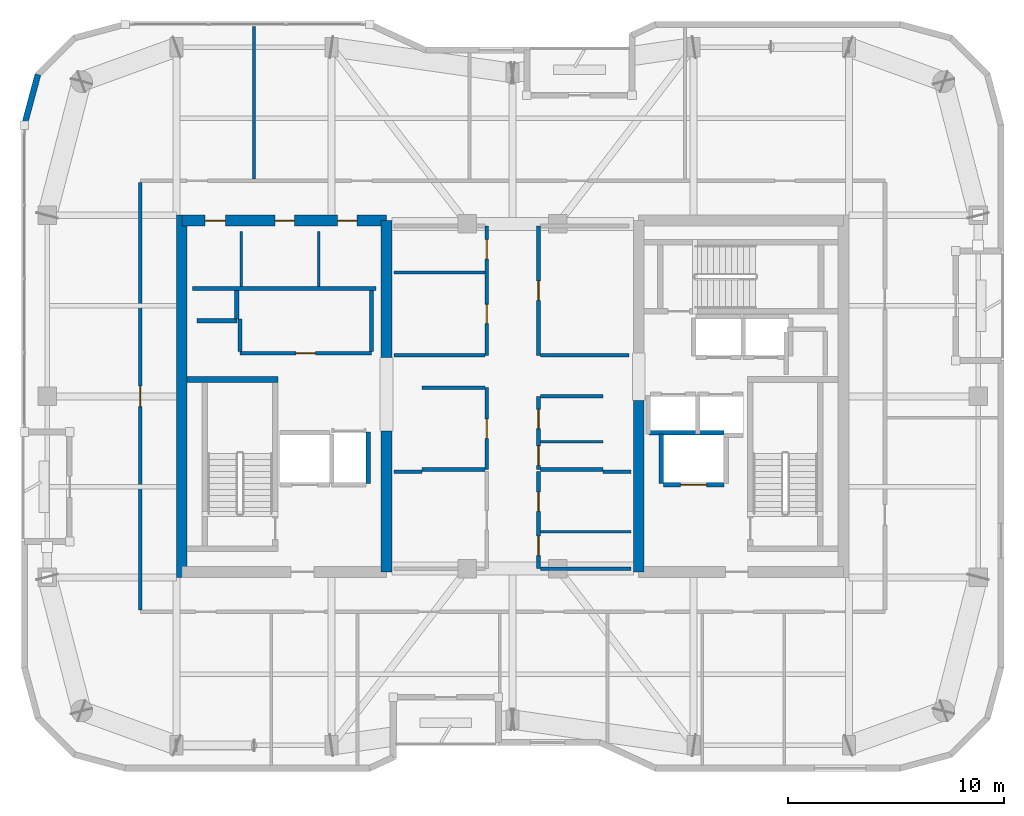
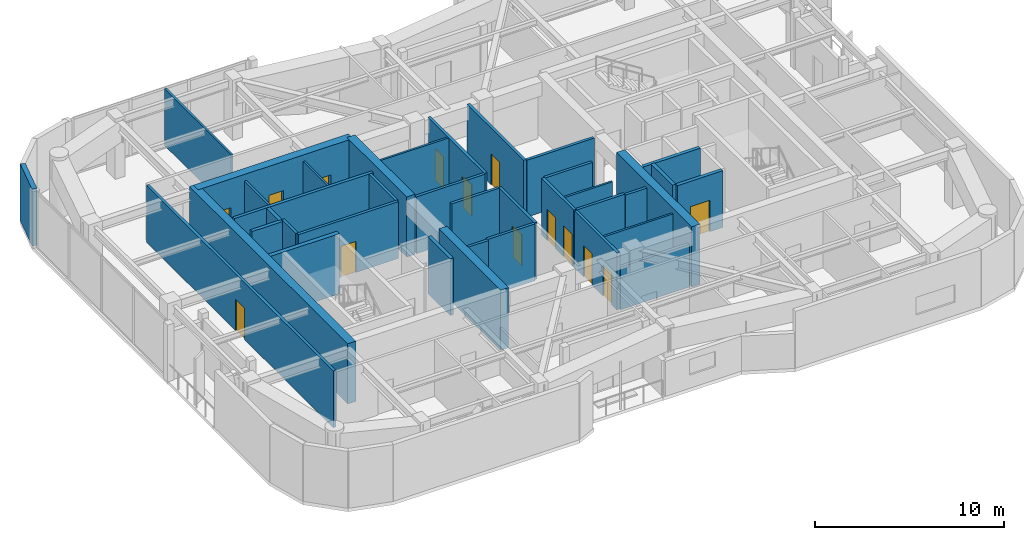
# One storey, part 11 of 15: 38 walls, 14 doors, 14 openings.
"""IFC4 building model written with IfcOpenShell, lengths in metres."""

from ifc_helpers import new_model, si_unit, direction, frame, frame_2d, origin, place, context, subcontext, project, spatial, rectangle, extrude, material, layer, layer_set, type_object, element, fill, save


model = new_model("IFC4")

# Units and contexts
model_context = context("Model", 3, precision=1e-05, world=origin(), true_north=direction((0.0, 1.0)))
body_context = subcontext(model_context, "Body", "Model", "MODEL_VIEW")
ifc_project = project(units=[si_unit("LENGTHUNIT", "METRE"), si_unit("AREAUNIT", "SQUARE_METRE"), si_unit("VOLUMEUNIT", "CUBIC_METRE"), si_unit("PLANEANGLEUNIT", "RADIAN"), si_unit("MASSUNIT", "GRAM", prefix="KILO")], contexts=[model_context])

# Site, building, storey
site_placement = place(None, origin())
site = spatial("IfcSite", under=ifc_project, at=site_placement, CompositionType="ELEMENT")
building_placement = place(site_placement, origin())
building = spatial("IfcBuilding", under=site, at=building_placement, Name="Kiyonajd Concourse Tower", CompositionType="ELEMENT")
storey_placement = place(building_placement, frame((0.0, 0.0, 321.89990234375)))
storey = spatial("IfcBuildingStorey", under=building, at=storey_placement, Name="L81", CompositionType="ELEMENT", Elevation=321.89990234375)

# Walls
ifc_material_1 = material(Name="Concrete C60/75", Category="concrete")
ifc_layer_1 = layer(ifc_material_1, 0.5)
ifc_layer_set_1 = layer_set([ifc_layer_1], Name="Concrete C60/75")
wall_type_1 = type_object("IfcWallType", Name="WL-CORE-500", PredefinedType="SHEAR", material=ifc_layer_set_1)
wall_1_placement = place(storey_placement, frame((32.64990234375, 27.60009765625, 0.0), z_axis=(0.0, 0.0, 1.0), x_axis=(0.0, 1.0, 0.0)))
element("IfcWall", 1, at=wall_1_placement, inside=storey, type_object=wall_type_1, Name="L81 West Core Outer Shear Wall", PredefinedType="SHEAR", context=body_context, shape_type="SweptSolid", body=[
    extrude(rectangle(XDim=16.7998046875, YDim=0.5, at=frame_2d((8.39990234375, 0.0))), origin(), (0.0, 0.0, 1.0), 3.900146484375),
])
wall_2_placement = place(storey_placement, frame((42.14990234375, 27.85009765625, 0.0), z_axis=(0.0, 0.0, 1.0), x_axis=(0.0, 1.0, 0.0)))
element("IfcWall", 2, at=wall_2_placement, inside=storey, type_object=wall_type_1, Name="L81 West Core Inner South Shear Wall", PredefinedType="SHEAR", context=body_context, shape_type="SweptSolid", body=[
    extrude(rectangle(XDim=6.5498046875, YDim=0.5, at=frame_2d((3.27490234375, 0.0))), origin(), (0.0, 0.0, 1.0), 3.900146484375),
])
wall_3_placement = place(storey_placement, frame((42.14990234375, 37.800048828125, 0.0), z_axis=(0.0, 0.0, 1.0), x_axis=(0.0, 1.0, 0.0)))
element("IfcWall", 3, at=wall_3_placement, inside=storey, type_object=wall_type_1, Name="L81 West Core Inner North Shear Wall", PredefinedType="SHEAR", context=body_context, shape_type="SweptSolid", body=[
    extrude(rectangle(XDim=6.349853515625, YDim=0.5, at=frame_2d((3.1748046875, 0.0))), origin(), (0.0, 0.0, 1.0), 3.900146484375),
])

# Wall, openings, doors
wall_4_placement = place(storey_placement, frame((32.64990234375, 44.14990234375, 0.0), z_axis=(0.0, 0.0, 1.0), x_axis=(1.0, 0.0, 0.0)))
wall_4 = element("IfcWall", 4, at=wall_4_placement, inside=storey, type_object=wall_type_1, Name="L81 West Core North Shear Wall", PredefinedType="SHEAR", context=body_context, shape_type="SweptSolid", body=[
    extrude(rectangle(XDim=9.5, YDim=0.5, at=frame_2d((4.75, 0.0))), origin(), (0.0, 0.0, 1.0), 3.900146484375),
])
opening_1_placement = place(wall_4_placement, frame((1.074951171875, 0.0, 0.0)))
opening_1 = element("IfcOpeningElement", 5, at=opening_1_placement, cuts=wall_4, Name="Opening DI1", PredefinedType="OPENING", context=body_context, shape_type="SweptSolid", body=[
    extrude(rectangle(XDim=0.949951171875, YDim=2.0400390625, at=frame_2d((0.47509765625, 1.02001953125))), frame((0.0, 0.260009765625, 0.0), z_axis=(0.0, -1.0, 0.0), x_axis=(1.0, 0.0, 0.0)), (0.0, 0.0, 1.0), 0.52001953125),
])
opening_2_placement = place(wall_4_placement, frame((4.324951171875, 0.0, 0.0)))
opening_2 = element("IfcOpeningElement", 6, at=opening_2_placement, cuts=wall_4, Name="Opening DI2", PredefinedType="OPENING", context=body_context, shape_type="SweptSolid", body=[
    extrude(rectangle(XDim=0.89990234375, YDim=2.02001953125, at=frame_2d((0.449951171875, 1.010009765625))), frame((0.0, 0.260009765625, 0.0), z_axis=(0.0, -1.0, 0.0), x_axis=(1.0, 0.0, 0.0)), (0.0, 0.0, 1.0), 0.52001953125),
])
opening_3_placement = place(wall_4_placement, frame((7.22509765625, 0.0, 0.0)))
opening_3 = element("IfcOpeningElement", 7, at=opening_3_placement, cuts=wall_4, Name="Opening DI2", PredefinedType="OPENING", context=body_context, shape_type="SweptSolid", body=[
    extrude(rectangle(XDim=0.89990234375, YDim=2.02001953125, at=frame_2d((0.449951171875, 1.010009765625))), frame((0.0, 0.260009765625, 0.0), z_axis=(0.0, -1.0, 0.0), x_axis=(1.0, 0.0, 0.0)), (0.0, 0.0, 1.0), 0.52001953125),
])
ifc_material_2 = material(Name="Natural Oak Acoustic Timber Veneer", Category="wood")
door_type_1 = type_object("IfcDoorType", Name="DR-INT-900", OperationType="NOTDEFINED", PredefinedType="DOOR", material=ifc_material_2)
door_1_placement = place(opening_2_placement, origin())
door_1 = element("IfcDoor", 8, at=door_1_placement, inside=storey, type_object=door_type_1, Name="L81 Male Restroom Door", OperationType="SINGLE_SWING_RIGHT", OverallHeight=2.02001953125, OverallWidth=0.89990234375, PredefinedType="DOOR", context=body_context, shape_type="SweptSolid", body=[
    extrude(rectangle(XDim=0.89990234375, YDim=2.02001953125, at=frame_2d((0.449951171875, 1.010009765625))), frame((0.0, 0.02490234375, 0.0), z_axis=(0.0, -1.0, 0.0), x_axis=(1.0, 0.0, 0.0)), (0.0, 0.0, 1.0), 0.050048828125),
])
fill(opening_2, door_1)
door_2_placement = place(opening_3_placement, origin())
door_2 = element("IfcDoor", 9, at=door_2_placement, inside=storey, type_object=door_type_1, Name="L81 Female Restroom Door", OperationType="SINGLE_SWING_LEFT", OverallHeight=2.02001953125, OverallWidth=0.89990234375, PredefinedType="DOOR", context=body_context, shape_type="SweptSolid", body=[
    extrude(rectangle(XDim=0.89990234375, YDim=2.02001953125, at=frame_2d((0.449951171875, 1.010009765625))), frame((0.0, 0.02490234375, 0.0), z_axis=(0.0, -1.0, 0.0), x_axis=(1.0, 0.0, 0.0)), (0.0, 0.0, 1.0), 0.050048828125),
])
fill(opening_3, door_2)
door_type_2 = type_object("IfcDoorType", Name="DR-INT-950", OperationType="NOTDEFINED", PredefinedType="DOOR", material=ifc_material_2)
door_3_placement = place(opening_1_placement, origin())
door_3 = element("IfcDoor", 10, at=door_3_placement, inside=storey, type_object=door_type_2, Name="L81 Single User Accessible WC Door", OperationType="SINGLE_SWING_LEFT", OverallHeight=2.0400390625, OverallWidth=0.949951171875, PredefinedType="DOOR", context=body_context, shape_type="SweptSolid", body=[
    extrude(rectangle(XDim=0.949951171875, YDim=2.0400390625, at=frame_2d((0.47509765625, 1.02001953125))), frame((0.0, 0.02490234375, 0.0), z_axis=(0.0, -1.0, 0.0), x_axis=(1.0, 0.0, 0.0)), (0.0, 0.0, 1.0), 0.050048828125),
])
fill(opening_1, door_3)

# Walls
wall_5_placement = place(storey_placement, frame((53.85009765625, 27.85009765625, 0.0), z_axis=(0.0, 0.0, 1.0), x_axis=(0.0, 1.0, 0.0)))
element("IfcWall", 11, at=wall_5_placement, inside=storey, type_object=wall_type_1, Name="L81 East Core Inner South Shear Wall", PredefinedType="SHEAR", context=body_context, shape_type="SweptSolid", body=[
    extrude(rectangle(XDim=7.949951171875, YDim=0.5, at=frame_2d((3.97509765625, 0.0))), origin(), (0.0, 0.0, 1.0), 3.900146484375),
])
ifc_material_3 = material(Name="Precast concrete C50/60", Category="concrete")
ifc_layer_2 = layer(ifc_material_3, 0.280029296875)
ifc_layer_set_2 = layer_set([ifc_layer_2], Name="Precast concrete C50/60")
wall_type_2 = type_object("IfcWallType", Name="WL-EXT-280", PredefinedType="SOLIDWALL", material=ifc_layer_set_2)
wall_6_placement = place(storey_placement, frame((25.340087890625, 48.58154296875, 0.0), z_axis=(0.0, 0.0, 1.0), x_axis=(0.258751159445, 0.965944013639, 0.0)))
element("IfcWall", 12, at=wall_6_placement, inside=storey, type_object=wall_type_2, Name="L81 Exterior Concrete Frame Wall 06", PredefinedType="SOLIDWALL", context=body_context, shape_type="SweptSolid", body=[
    extrude(rectangle(XDim=2.4287109375, YDim=0.280029296875, at=frame_2d((1.21435546875, 0.0))), origin(), (0.0, 0.0, 1.0), 3.68017578125),
])
ifc_material_4 = material(Name="Gypsum Board on Cold-Formed Steel Stud", Category="steel")
ifc_layer_3 = layer(ifc_material_4, 0.125)
ifc_layer_set_3 = layer_set([ifc_layer_3], Name="Gypsum Board on Cold-Formed Steel Stud")
wall_type_3 = type_object("IfcWallType", Name="WL-PART-125", PredefinedType="PARTITIONING", material=ifc_layer_set_3)
for number, where, z_axis, x_axis, name in (
    (13, (35.39990234375, 41.094970703125, 0.0), (0.0, 0.0, 1.0), (0.0, 1.0, 0.0), "L81 Interior Partition Wall"),
    (14, (39.0, 41.094970703125, 0.0), (0.0, 0.0, 1.0), (0.0, 1.0, 0.0), "L81 Interior Partition Wall"),
):
    element("IfcWall", number, at=place(storey_placement, frame(where, z_axis=z_axis, x_axis=x_axis)), inside=storey, type_object=wall_type_3, Name=name, PredefinedType="PARTITIONING", context=body_context, shape_type="SweptSolid", body=[
        extrude(rectangle(XDim=2.554931640625, YDim=0.125, at=frame_2d((1.27734375, 0.0))), origin(), (0.0, 0.0, 1.0), 3.68017578125),
    ])
wall_7_placement = place(storey_placement, frame((49.287109375, 33.89208984375, 0.0), z_axis=(0.0, 0.0, 1.0), x_axis=(1.0, 0.0, 0.0)))
element("IfcWall", 15, at=wall_7_placement, inside=storey, type_object=wall_type_3, Name="L81 Interior Partition Wall", PredefinedType="PARTITIONING", context=body_context, shape_type="SweptSolid", body=[
    extrude(rectangle(XDim=2.912841796875, YDim=0.125, at=frame_2d((1.45654296875, 0.0))), origin(), (0.0, 0.0, 1.0), 3.68017578125),
])
for number, where, z_axis, x_axis, name in (
    (16, (49.287109375, 29.7099609375, 0.0), (0.0, 0.0, 1.0), (1.0, 0.0, 0.0), "L81 Interior Partition Wall"),
    (17, (42.5, 41.739990234375, 0.0), (0.0, 0.0, 1.0), (1.0, 0.0, 0.0), "L81 Interior Partition Wall"),
):
    element("IfcWall", number, at=place(storey_placement, frame(where, z_axis=z_axis, x_axis=x_axis)), inside=storey, type_object=wall_type_3, Name=name, PredefinedType="PARTITIONING", context=body_context, shape_type="SweptSolid", body=[
        extrude(rectangle(XDim=4.212890625, YDim=0.125, at=frame_2d((2.1064453125, 0.0))), origin(), (0.0, 0.0, 1.0), 3.68017578125),
    ])
wall_8_placement = place(storey_placement, frame((36.0, 46.0869140625, 0.0), z_axis=(0.0, 0.0, 1.0), x_axis=(0.0, 1.0, 0.0)))
element("IfcWall", 18, at=wall_8_placement, inside=storey, type_object=wall_type_3, Name="L81 Interior Partition Wall", PredefinedType="PARTITIONING", context=body_context, shape_type="SweptSolid", body=[
    extrude(rectangle(XDim=7.078125, YDim=0.125, at=frame_2d((3.5390625, 0.0))), origin(), (0.0, 0.0, 1.0), 3.68017578125),
])
ifc_layer_4 = layer(ifc_material_4, 0.18994140625)
ifc_layer_set_4 = layer_set([ifc_layer_4], Name="Gypsum Board on Cold-Formed Steel Stud")
wall_type_4 = type_object("IfcWallType", Name="WL-PLMB-190", PredefinedType="PLUMBINGWALL", material=ifc_layer_set_4)
wall_9_placement = place(storey_placement, frame((33.14990234375, 41.0, 0.0), z_axis=(0.0, 0.0, 1.0), x_axis=(1.0, 0.0, 0.0)))
element("IfcWall", 19, at=wall_9_placement, inside=storey, type_object=wall_type_4, Name="L81 Interior Partition Wall", PredefinedType="PLUMBINGWALL", context=body_context, shape_type="SweptSolid", body=[
    extrude(rectangle(XDim=8.5, YDim=0.18994140625, at=frame_2d((4.25, 0.0))), origin(), (0.0, 0.0, 1.0), 3.68017578125),
])
ifc_layer_5 = layer(ifc_material_4, 0.2099609375)
ifc_layer_set_5 = layer_set([ifc_layer_5], Name="Gypsum Board on Cold-Formed Steel Stud")
wall_type_5 = type_object("IfcWallType", Name="WL-SHAFT-210", PredefinedType="PARTITIONING", material=ifc_layer_set_5)
wall_10_placement = place(storey_placement, frame((33.360107421875, 39.5, 0.0), z_axis=(0.0, 0.0, 1.0), x_axis=(1.0, 0.0, 0.0)))
element("IfcWall", 20, at=wall_10_placement, inside=storey, type_object=wall_type_5, Name="L81 Shaft Enclosure Wall", PredefinedType="PARTITIONING", context=body_context, shape_type="SweptSolid", body=[
    extrude(rectangle(XDim=1.85986328125, YDim=0.2099609375, at=frame_2d((0.929931640625, 0.0))), origin(), (0.0, 0.0, 1.0), 3.68017578125),
])
wall_11_placement = place(storey_placement, frame((35.199951171875, 39.580078125, 0.0), z_axis=(0.0, 0.0, 1.0), x_axis=(0.0, 1.0, 0.0)))
element("IfcWall", 21, at=wall_11_placement, inside=storey, type_object=wall_type_5, Name="L81 Shaft Enclosure Wall", PredefinedType="PARTITIONING", context=body_context, shape_type="SweptSolid", body=[
    extrude(rectangle(XDim=1.31982421875, YDim=0.2099609375, at=frame_2d((0.659912109375, 0.0))), origin(), (0.0, 0.0, 1.0), 3.68017578125),
])

# Wall, opening, door
wall_12_placement = place(storey_placement, frame((55.0, 31.89990234375, 0.0), z_axis=(0.0, 0.0, 1.0), x_axis=(1.0, 0.0, 0.0)))
wall_12 = element("IfcWall", 22, at=wall_12_placement, inside=storey, type_object=wall_type_5, Name="L81 Shaft Enclosure Wall", PredefinedType="PARTITIONING", context=body_context, shape_type="SweptSolid", body=[
    extrude(rectangle(XDim=2.800048828125, YDim=0.2099609375, at=frame_2d((1.39990234375, 0.0))), origin(), (0.0, 0.0, 1.0), 3.68017578125),
])
opening_4_placement = place(wall_12_placement, frame((0.800048828125, 0.0, 0.0)))
opening_4 = element("IfcOpeningElement", 23, at=opening_4_placement, cuts=wall_12, Name="Opening LD2", PredefinedType="OPENING", context=body_context, shape_type="SweptSolid", body=[
    extrude(rectangle(XDim=1.199951171875, YDim=2.0400390625, at=frame_2d((0.60009765625, 1.02001953125))), frame((0.0, 0.114990234375, 0.0), z_axis=(0.0, -1.0, 0.0), x_axis=(1.0, 0.0, 0.0)), (0.0, 0.0, 1.0), 0.22998046875),
])
ifc_material_5 = material(Name="Brushed Stainless Steel Cab Assembly", Category="steel")
door_type_3 = type_object("IfcDoorType", Name="DR-LD-1200", OperationType="DOUBLE_DOOR_SLIDING", PredefinedType="DOOR", material=ifc_material_5)
door_4_placement = place(opening_4_placement, origin())
door_4 = element("IfcDoor", 24, at=door_4_placement, inside=storey, type_object=door_type_3, Name="L81 Lift FFL2 Sliding Landing Door", OperationType="DOUBLE_DOOR_SLIDING", OverallHeight=2.0400390625, OverallWidth=1.199951171875, PredefinedType="DOOR", context=body_context, shape_type="SweptSolid", body=[
    extrude(rectangle(XDim=1.199951171875, YDim=2.0400390625, at=frame_2d((0.60009765625, 1.02001953125))), frame((0.0, 0.02490234375, 0.0), z_axis=(0.0, -1.0, 0.0), x_axis=(1.0, 0.0, 0.0)), (0.0, 0.0, 1.0), 0.050048828125),
])
fill(opening_4, door_4)

# Walls
wall_13_placement = place(storey_placement, frame((54.320068359375, 34.300048828125, 0.0), z_axis=(0.0, 0.0, 1.0), x_axis=(1.0, 0.0, 0.0)))
element("IfcWall", 25, at=wall_13_placement, inside=storey, type_object=wall_type_5, Name="L81 Shaft Enclosure Wall", PredefinedType="PARTITIONING", context=body_context, shape_type="SweptSolid", body=[
    extrude(rectangle(XDim=3.47998046875, YDim=0.2099609375, at=frame_2d((1.739990234375, 0.0))), origin(), (0.0, 0.0, 1.0), 3.68017578125),
])
wall_14_placement = place(storey_placement, frame((54.89990234375, 31.9599609375, 0.0), z_axis=(0.0, 0.0, 1.0), x_axis=(0.0, 1.0, 0.0)))
element("IfcWall", 26, at=wall_14_placement, inside=storey, type_object=wall_type_5, Name="L81 Shaft Enclosure Wall", PredefinedType="PARTITIONING", context=body_context, shape_type="SweptSolid", body=[
    extrude(rectangle(XDim=2.280029296875, YDim=0.2099609375, at=frame_2d((1.14013671875, 0.0))), origin(), (0.0, 0.0, 1.0), 3.68017578125),
])
wall_15_placement = place(storey_placement, frame((41.300048828125, 31.9599609375, 0.0), z_axis=(0.0, 0.0, 1.0), x_axis=(0.0, 1.0, 0.0)))
element("IfcWall", 27, at=wall_15_placement, inside=storey, type_object=wall_type_5, Name="L81 Shaft Enclosure Wall", PredefinedType="PARTITIONING", context=body_context, shape_type="SweptSolid", body=[
    extrude(rectangle(XDim=2.380126953125, YDim=0.2099609375, at=frame_2d((1.18994140625, 0.0))), origin(), (0.0, 0.0, 1.0), 3.68017578125),
])

# Wall, opening, door
ifc_layer_6 = layer(ifc_material_4, 0.169921875)
ifc_layer_set_6 = layer_set([ifc_layer_6], Name="Gypsum Board on Cold-Formed Steel Stud")
wall_type_6 = type_object("IfcWallType", Name="WL-SMK-170", PredefinedType="PARTITIONING", material=ifc_layer_set_6)
wall_16_placement = place(storey_placement, frame((35.35009765625, 38.0, 0.0), z_axis=(0.0, 0.0, 1.0), x_axis=(1.0, 0.0, 0.0)))
wall_16 = element("IfcWall", 28, at=wall_16_placement, inside=storey, type_object=wall_type_6, Name="L81 Interior Partition Wall", PredefinedType="PARTITIONING", context=body_context, shape_type="SweptSolid", body=[
    extrude(rectangle(XDim=6.099853515625, YDim=0.169921875, at=frame_2d((3.0498046875, 0.0))), origin(), (0.0, 0.0, 1.0), 3.68017578125),
])
opening_5_placement = place(wall_16_placement, frame((2.60009765625, 0.0, 0.0)))
opening_5 = element("IfcOpeningElement", 29, at=opening_5_placement, cuts=wall_16, Name="Opening DI2", PredefinedType="OPENING", context=body_context, shape_type="SweptSolid", body=[
    extrude(rectangle(XDim=0.89990234375, YDim=2.02001953125, at=frame_2d((0.449951171875, 1.010009765625))), frame((0.0, 0.094970703125, 0.0), z_axis=(0.0, -1.0, 0.0), x_axis=(1.0, 0.0, 0.0)), (0.0, 0.0, 1.0), 0.18994140625),
])
door_5_placement = place(opening_5_placement, origin())
door_5 = element("IfcDoor", 30, at=door_5_placement, inside=storey, type_object=door_type_1, Name="L81 Interior Door", OperationType="SINGLE_SWING_LEFT", OverallHeight=2.02001953125, OverallWidth=0.89990234375, PredefinedType="DOOR", context=body_context, shape_type="SweptSolid", body=[
    extrude(rectangle(XDim=0.89990234375, YDim=2.02001953125, at=frame_2d((0.449951171875, 1.010009765625))), frame((0.0, 0.02490234375, 0.0), z_axis=(0.0, -1.0, 0.0), x_axis=(1.0, 0.0, 0.0)), (0.0, 0.0, 1.0), 0.050048828125),
])
fill(opening_5, door_5)

# Walls
wall_17_placement = place(storey_placement, frame((35.35009765625, 38.0869140625, 0.0), z_axis=(0.0, 0.0, 1.0), x_axis=(0.0, 1.0, 0.0)))
element("IfcWall", 31, at=wall_17_placement, inside=storey, type_object=wall_type_6, Name="L81 Interior Partition Wall", PredefinedType="PARTITIONING", context=body_context, shape_type="SweptSolid", body=[
    extrude(rectangle(XDim=1.4931640625, YDim=0.169921875, at=frame_2d((0.74658203125, 0.0))), origin(), (0.0, 0.0, 1.0), 3.68017578125),
])
wall_18_placement = place(storey_placement, frame((41.449951171875, 38.0869140625, 0.0), z_axis=(0.0, 0.0, 1.0), x_axis=(0.0, 1.0, 0.0)))
element("IfcWall", 32, at=wall_18_placement, inside=storey, type_object=wall_type_6, Name="L81 Interior Partition Wall", PredefinedType="PARTITIONING", context=body_context, shape_type="SweptSolid", body=[
    extrude(rectangle(XDim=2.81298828125, YDim=0.169921875, at=frame_2d((1.406494140625, 0.0))), origin(), (0.0, 0.0, 1.0), 3.68017578125),
])

# Wall, opening, door
wall_19_placement = place(storey_placement, frame((46.800048828125, 32.60009765625, 0.0), z_axis=(0.0, 0.0, 1.0), x_axis=(0.0, 1.0, 0.0)))
wall_19 = element("IfcWall", 33, at=wall_19_placement, inside=storey, type_object=wall_type_6, Name="L81 Interior Partition Wall", PredefinedType="PARTITIONING", context=body_context, shape_type="SweptSolid", body=[
    extrude(rectangle(XDim=3.7998046875, YDim=0.169921875, at=frame_2d((1.89990234375, 0.0))), origin(), (0.0, 0.0, 1.0), 3.68017578125),
])
opening_6_placement = place(wall_19_placement, frame((1.449951171875, 0.0, 0.0)))
opening_6 = element("IfcOpeningElement", 34, at=opening_6_placement, cuts=wall_19, Name="Opening DI2", PredefinedType="OPENING", context=body_context, shape_type="SweptSolid", body=[
    extrude(rectangle(XDim=0.89990234375, YDim=2.02001953125, at=frame_2d((0.449951171875, 1.010009765625))), frame((0.0, 0.094970703125, 0.0), z_axis=(0.0, -1.0, 0.0), x_axis=(1.0, 0.0, 0.0)), (0.0, 0.0, 1.0), 0.18994140625),
])
door_6_placement = place(opening_6_placement, origin())
door_6 = element("IfcDoor", 35, at=door_6_placement, inside=storey, type_object=door_type_1, Name="L81 Interior Door", OperationType="SINGLE_SWING_RIGHT", OverallHeight=2.02001953125, OverallWidth=0.89990234375, PredefinedType="DOOR", context=body_context, shape_type="SweptSolid", body=[
    extrude(rectangle(XDim=0.89990234375, YDim=2.02001953125, at=frame_2d((0.449951171875, 1.010009765625))), frame((0.0, 0.02490234375, 0.0), z_axis=(0.0, -1.0, 0.0), x_axis=(1.0, 0.0, 0.0)), (0.0, 0.0, 1.0), 0.050048828125),
])
fill(opening_6, door_6)

# Walls
for number, where, z_axis, x_axis, name in (
    (36, (43.800048828125, 32.60009765625, 0.0), (0.0, 0.0, 1.0), (1.0, 0.0, 0.0), "L81 Interior Partition Wall"),
    (37, (43.800048828125, 36.39990234375, 0.0), (0.0, 0.0, 1.0), (1.0, 0.0, 0.0), "L81 Interior Partition Wall"),
):
    element("IfcWall", number, at=place(storey_placement, frame(where, z_axis=z_axis, x_axis=x_axis)), inside=storey, type_object=wall_type_6, Name=name, PredefinedType="PARTITIONING", context=body_context, shape_type="SweptSolid", body=[
        extrude(rectangle(XDim=2.912841796875, YDim=0.169921875, at=frame_2d((1.45654296875, 0.0))), origin(), (0.0, 0.0, 1.0), 3.68017578125),
    ])

# Wall, openings, doors
wall_20_placement = place(storey_placement, frame((49.199951171875, 32.60009765625, 0.0), z_axis=(0.0, 0.0, 1.0), x_axis=(0.0, 1.0, 0.0)))
wall_20 = element("IfcWall", 38, at=wall_20_placement, inside=storey, type_object=wall_type_6, Name="L81 Interior Partition Wall", PredefinedType="PARTITIONING", context=body_context, shape_type="SweptSolid", body=[
    extrude(rectangle(XDim=3.39990234375, YDim=0.169921875, at=frame_2d((1.699951171875, 0.0))), origin(), (0.0, 0.0, 1.0), 3.68017578125),
])
opening_7_placement = place(wall_20_placement, frame((0.196044921875, 0.0, 0.0)))
opening_7 = element("IfcOpeningElement", 39, at=opening_7_placement, cuts=wall_20, Name="Opening DI2", PredefinedType="OPENING", context=body_context, shape_type="SweptSolid", body=[
    extrude(rectangle(XDim=0.89990234375, YDim=2.02001953125, at=frame_2d((0.449951171875, 1.010009765625))), frame((0.0, 0.094970703125, 0.0), z_axis=(0.0, -1.0, 0.0), x_axis=(1.0, 0.0, 0.0)), (0.0, 0.0, 1.0), 0.18994140625),
])
opening_8_placement = place(wall_20_placement, frame((1.89599609375, 0.0, 0.0)))
opening_8 = element("IfcOpeningElement", 40, at=opening_8_placement, cuts=wall_20, Name="Opening DI2", PredefinedType="OPENING", context=body_context, shape_type="SweptSolid", body=[
    extrude(rectangle(XDim=0.89990234375, YDim=2.02001953125, at=frame_2d((0.449951171875, 1.010009765625))), frame((0.0, 0.094970703125, 0.0), z_axis=(0.0, -1.0, 0.0), x_axis=(1.0, 0.0, 0.0)), (0.0, 0.0, 1.0), 0.18994140625),
])
door_7_placement = place(opening_7_placement, origin())
door_7 = element("IfcDoor", 41, at=door_7_placement, inside=storey, type_object=door_type_1, Name="L81 Interior Door", OperationType="SINGLE_SWING_LEFT", OverallHeight=2.02001953125, OverallWidth=0.89990234375, PredefinedType="DOOR", context=body_context, shape_type="SweptSolid", body=[
    extrude(rectangle(XDim=0.89990234375, YDim=2.02001953125, at=frame_2d((0.449951171875, 1.010009765625))), frame((0.0, 0.02490234375, 0.0), z_axis=(0.0, -1.0, 0.0), x_axis=(1.0, 0.0, 0.0)), (0.0, 0.0, 1.0), 0.050048828125),
])
fill(opening_7, door_7)
door_8_placement = place(opening_8_placement, origin())
door_8 = element("IfcDoor", 42, at=door_8_placement, inside=storey, type_object=door_type_1, Name="L81 Interior Door", OperationType="SINGLE_SWING_RIGHT", OverallHeight=2.02001953125, OverallWidth=0.89990234375, PredefinedType="DOOR", context=body_context, shape_type="SweptSolid", body=[
    extrude(rectangle(XDim=0.89990234375, YDim=2.02001953125, at=frame_2d((0.449951171875, 1.010009765625))), frame((0.0, 0.02490234375, 0.0), z_axis=(0.0, -1.0, 0.0), x_axis=(1.0, 0.0, 0.0)), (0.0, 0.0, 1.0), 0.050048828125),
])
fill(opening_8, door_8)

# Walls
for number, where, z_axis, x_axis, name in (
    (43, (49.287109375, 32.60009765625, 0.0), (0.0, 0.0, 1.0), (1.0, 0.0, 0.0), "L81 Interior Partition Wall"),
    (44, (49.287109375, 36.0, 0.0), (0.0, 0.0, 1.0), (1.0, 0.0, 0.0), "L81 Interior Partition Wall"),
):
    element("IfcWall", number, at=place(storey_placement, frame(where, z_axis=z_axis, x_axis=x_axis)), inside=storey, type_object=wall_type_6, Name=name, PredefinedType="PARTITIONING", context=body_context, shape_type="SweptSolid", body=[
        extrude(rectangle(XDim=2.912841796875, YDim=0.169921875, at=frame_2d((1.45654296875, 0.0))), origin(), (0.0, 0.0, 1.0), 3.68017578125),
    ])
wall_21_placement = place(storey_placement, frame((42.5, 32.5, 0.0), z_axis=(0.0, 0.0, 1.0), x_axis=(1.0, 0.0, 0.0)))
element("IfcWall", 45, at=wall_21_placement, inside=storey, type_object=wall_type_6, Name="L81 Interior Partition Wall", PredefinedType="PARTITIONING", context=body_context, shape_type="SweptSolid", body=[
    extrude(rectangle(XDim=1.300048828125, YDim=0.169921875, at=frame_2d((0.64990234375, 0.0))), origin(), (0.0, 0.0, 1.0), 3.68017578125),
])

# Wall, openings, doors
wall_22_placement = place(storey_placement, frame((49.199951171875, 28.0, 0.0), z_axis=(0.0, 0.0, 1.0), x_axis=(0.0, 1.0, 0.0)))
wall_22 = element("IfcWall", 46, at=wall_22_placement, inside=storey, type_object=wall_type_6, Name="L81 Interior Partition Wall", PredefinedType="PARTITIONING", context=body_context, shape_type="SweptSolid", body=[
    extrude(rectangle(XDim=4.5, YDim=0.169921875, at=frame_2d((2.25, 0.0))), origin(), (0.0, 0.0, 1.0), 3.68017578125),
])
opening_9_placement = place(wall_22_placement, frame((0.60498046875, 0.0, 0.0)))
opening_9 = element("IfcOpeningElement", 47, at=opening_9_placement, cuts=wall_22, Name="Opening DI2", PredefinedType="OPENING", context=body_context, shape_type="SweptSolid", body=[
    extrude(rectangle(XDim=0.89990234375, YDim=2.02001953125, at=frame_2d((0.449951171875, 1.010009765625))), frame((0.0, 0.094970703125, 0.0), z_axis=(0.0, -1.0, 0.0), x_axis=(1.0, 0.0, 0.0)), (0.0, 0.0, 1.0), 0.18994140625),
])
opening_10_placement = place(wall_22_placement, frame((2.655029296875, 0.0, 0.0)))
opening_10 = element("IfcOpeningElement", 48, at=opening_10_placement, cuts=wall_22, Name="Opening DI2", PredefinedType="OPENING", context=body_context, shape_type="SweptSolid", body=[
    extrude(rectangle(XDim=0.89990234375, YDim=2.02001953125, at=frame_2d((0.449951171875, 1.010009765625))), frame((0.0, 0.094970703125, 0.0), z_axis=(0.0, -1.0, 0.0), x_axis=(1.0, 0.0, 0.0)), (0.0, 0.0, 1.0), 0.18994140625),
])
door_9_placement = place(opening_9_placement, origin())
door_9 = element("IfcDoor", 49, at=door_9_placement, inside=storey, type_object=door_type_1, Name="L81 Interior Door", OperationType="SINGLE_SWING_RIGHT", OverallHeight=2.02001953125, OverallWidth=0.89990234375, PredefinedType="DOOR", context=body_context, shape_type="SweptSolid", body=[
    extrude(rectangle(XDim=0.89990234375, YDim=2.02001953125, at=frame_2d((0.449951171875, 1.010009765625))), frame((0.0, 0.02490234375, 0.0), z_axis=(0.0, -1.0, 0.0), x_axis=(1.0, 0.0, 0.0)), (0.0, 0.0, 1.0), 0.050048828125),
])
fill(opening_9, door_9)
door_10_placement = place(opening_10_placement, origin())
door_10 = element("IfcDoor", 50, at=door_10_placement, inside=storey, type_object=door_type_1, Name="L81 Interior Door", OperationType="SINGLE_SWING_LEFT", OverallHeight=2.02001953125, OverallWidth=0.89990234375, PredefinedType="DOOR", context=body_context, shape_type="SweptSolid", body=[
    extrude(rectangle(XDim=0.89990234375, YDim=2.02001953125, at=frame_2d((0.449951171875, 1.010009765625))), frame((0.0, 0.02490234375, 0.0), z_axis=(0.0, -1.0, 0.0), x_axis=(1.0, 0.0, 0.0)), (0.0, 0.0, 1.0), 0.050048828125),
])
fill(opening_10, door_10)

# Walls
wall_23_placement = place(storey_placement, frame((49.287109375, 28.0, 0.0), z_axis=(0.0, 0.0, 1.0), x_axis=(1.0, 0.0, 0.0)))
element("IfcWall", 51, at=wall_23_placement, inside=storey, type_object=wall_type_6, Name="L81 Interior Partition Wall", PredefinedType="PARTITIONING", context=body_context, shape_type="SweptSolid", body=[
    extrude(rectangle(XDim=4.212890625, YDim=0.169921875, at=frame_2d((2.1064453125, 0.0))), origin(), (0.0, 0.0, 1.0), 2.76513671875),
])
wall_24_placement = place(storey_placement, frame((52.199951171875, 32.5, 0.0), z_axis=(0.0, 0.0, 1.0), x_axis=(1.0, 0.0, 0.0)))
element("IfcWall", 52, at=wall_24_placement, inside=storey, type_object=wall_type_6, Name="L81 Interior Partition Wall", PredefinedType="PARTITIONING", context=body_context, shape_type="SweptSolid", body=[
    extrude(rectangle(XDim=1.300048828125, YDim=0.169921875, at=frame_2d((0.64990234375, 0.0))), origin(), (0.0, 0.0, 1.0), 3.68017578125),
])

# Wall, openings, doors
wall_25_placement = place(storey_placement, frame((46.800048828125, 37.89990234375, 0.0), z_axis=(0.0, 0.0, 1.0), x_axis=(0.0, 1.0, 0.0)))
wall_25 = element("IfcWall", 53, at=wall_25_placement, inside=storey, type_object=wall_type_6, Name="L81 Interior Partition Wall", PredefinedType="PARTITIONING", context=body_context, shape_type="SweptSolid", body=[
    extrude(rectangle(XDim=6.0, YDim=0.169921875, at=frame_2d((3.0, 0.0))), origin(), (0.0, 0.0, 1.0), 3.68017578125),
])
opening_11_placement = place(wall_25_placement, frame((1.469970703125, 0.0, 0.0)))
opening_11 = element("IfcOpeningElement", 54, at=opening_11_placement, cuts=wall_25, Name="Opening DF4", PredefinedType="OPENING", context=body_context, shape_type="SweptSolid", body=[
    extrude(rectangle(XDim=0.89990234375, YDim=2.02001953125, at=frame_2d((0.449951171875, 1.010009765625))), frame((0.0, 0.094970703125, 0.0), z_axis=(0.0, -1.0, 0.0), x_axis=(1.0, 0.0, 0.0)), (0.0, 0.0, 1.0), 0.18994140625),
])
opening_12_placement = place(wall_25_placement, frame((4.469970703125, 0.0, 0.0)))
opening_12 = element("IfcOpeningElement", 55, at=opening_12_placement, cuts=wall_25, Name="Opening DF4", PredefinedType="OPENING", context=body_context, shape_type="SweptSolid", body=[
    extrude(rectangle(XDim=0.89990234375, YDim=2.02001953125, at=frame_2d((0.449951171875, 1.010009765625))), frame((0.0, 0.094970703125, 0.0), z_axis=(0.0, -1.0, 0.0), x_axis=(1.0, 0.0, 0.0)), (0.0, 0.0, 1.0), 0.18994140625),
])
door_type_4 = type_object("IfcDoorType", Name="DR-FD60-900", OperationType="NOTDEFINED", PredefinedType="DOOR", material=ifc_material_5)
door_11_placement = place(opening_11_placement, origin())
door_11 = element("IfcDoor", 56, at=door_11_placement, inside=storey, type_object=door_type_4, Name="L81 Interior Door", OperationType="SINGLE_SWING_RIGHT", OverallHeight=2.02001953125, OverallWidth=0.89990234375, PredefinedType="DOOR", context=body_context, shape_type="SweptSolid", body=[
    extrude(rectangle(XDim=0.89990234375, YDim=2.02001953125, at=frame_2d((0.449951171875, 1.010009765625))), frame((0.0, 0.02490234375, 0.0), z_axis=(0.0, -1.0, 0.0), x_axis=(1.0, 0.0, 0.0)), (0.0, 0.0, 1.0), 0.050048828125),
])
fill(opening_11, door_11)
door_12_placement = place(opening_12_placement, origin())
door_12 = element("IfcDoor", 57, at=door_12_placement, inside=storey, type_object=door_type_4, Name="L81 Interior Door", OperationType="SINGLE_SWING_LEFT", OverallHeight=2.02001953125, OverallWidth=0.89990234375, PredefinedType="DOOR", context=body_context, shape_type="SweptSolid", body=[
    extrude(rectangle(XDim=0.89990234375, YDim=2.02001953125, at=frame_2d((0.449951171875, 1.010009765625))), frame((0.0, 0.02490234375, 0.0), z_axis=(0.0, -1.0, 0.0), x_axis=(1.0, 0.0, 0.0)), (0.0, 0.0, 1.0), 0.050048828125),
])
fill(opening_12, door_12)

# Wall
wall_26_placement = place(storey_placement, frame((42.5, 37.89990234375, 0.0), z_axis=(0.0, 0.0, 1.0), x_axis=(1.0, 0.0, 0.0)))
element("IfcWall", 58, at=wall_26_placement, inside=storey, type_object=wall_type_6, Name="L81 Interior Partition Wall", PredefinedType="PARTITIONING", context=body_context, shape_type="SweptSolid", body=[
    extrude(rectangle(XDim=4.212890625, YDim=0.169921875, at=frame_2d((2.1064453125, 0.0))), origin(), (0.0, 0.0, 1.0), 3.68017578125),
])

# Wall, opening, door
wall_27_placement = place(storey_placement, frame((49.199951171875, 37.89990234375, 0.0), z_axis=(0.0, 0.0, 1.0), x_axis=(0.0, 1.0, 0.0)))
wall_27 = element("IfcWall", 59, at=wall_27_placement, inside=storey, type_object=wall_type_6, Name="L81 Interior Partition Wall", PredefinedType="PARTITIONING", context=body_context, shape_type="SweptSolid", body=[
    extrude(rectangle(XDim=6.0, YDim=0.169921875, at=frame_2d((3.0, 0.0))), origin(), (0.0, 0.0, 1.0), 3.68017578125),
])
opening_13_placement = place(wall_27_placement, frame((2.550048828125, 0.0, 0.0)))
opening_13 = element("IfcOpeningElement", 60, at=opening_13_placement, cuts=wall_27, Name="Opening DI2", PredefinedType="OPENING", context=body_context, shape_type="SweptSolid", body=[
    extrude(rectangle(XDim=0.89990234375, YDim=2.02001953125, at=frame_2d((0.449951171875, 1.010009765625))), frame((0.0, 0.094970703125, 0.0), z_axis=(0.0, -1.0, 0.0), x_axis=(1.0, 0.0, 0.0)), (0.0, 0.0, 1.0), 0.18994140625),
])
door_13_placement = place(opening_13_placement, origin())
door_13 = element("IfcDoor", 61, at=door_13_placement, inside=storey, type_object=door_type_1, Name="L81 Interior Door", OperationType="SINGLE_SWING_RIGHT", OverallHeight=2.02001953125, OverallWidth=0.89990234375, PredefinedType="DOOR", context=body_context, shape_type="SweptSolid", body=[
    extrude(rectangle(XDim=0.89990234375, YDim=2.02001953125, at=frame_2d((0.449951171875, 1.010009765625))), frame((0.0, 0.02490234375, 0.0), z_axis=(0.0, -1.0, 0.0), x_axis=(1.0, 0.0, 0.0)), (0.0, 0.0, 1.0), 0.050048828125),
])
fill(opening_13, door_13)

# Wall
wall_28_placement = place(storey_placement, frame((49.287109375, 37.89990234375, 0.0), z_axis=(0.0, 0.0, 1.0), x_axis=(1.0, 0.0, 0.0)))
element("IfcWall", 62, at=wall_28_placement, inside=storey, type_object=wall_type_6, Name="L81 Interior Partition Wall", PredefinedType="PARTITIONING", context=body_context, shape_type="SweptSolid", body=[
    extrude(rectangle(XDim=4.11279296875, YDim=0.169921875, at=frame_2d((2.056396484375, 0.0))), origin(), (0.0, 0.0, 1.0), 3.68017578125),
])

# Wall, opening, door
wall_29_placement = place(storey_placement, frame((30.72509765625, 26.0869140625, 0.0), z_axis=(0.0, 0.0, 1.0), x_axis=(0.0, 1.0, 0.0)))
wall_29 = element("IfcWall", 63, at=wall_29_placement, inside=storey, type_object=wall_type_6, Name="L81 Interior Partition Wall", PredefinedType="PARTITIONING", context=body_context, shape_type="SweptSolid", body=[
    extrude(rectangle(XDim=19.826171875, YDim=0.169921875, at=frame_2d((9.9130859375, 0.0))), origin(), (0.0, 0.0, 1.0), 3.68017578125),
])
opening_14_placement = place(wall_29_placement, frame((9.43798828125, 0.0, 0.0)))
opening_14 = element("IfcOpeningElement", 64, at=opening_14_placement, cuts=wall_29, Name="Opening DI1", PredefinedType="OPENING", context=body_context, shape_type="SweptSolid", body=[
    extrude(rectangle(XDim=0.949951171875, YDim=2.0400390625, at=frame_2d((0.47509765625, 1.02001953125))), frame((0.0, 0.094970703125, 0.0), z_axis=(0.0, -1.0, 0.0), x_axis=(1.0, 0.0, 0.0)), (0.0, 0.0, 1.0), 0.18994140625),
])
door_14_placement = place(opening_14_placement, origin())
door_14 = element("IfcDoor", 65, at=door_14_placement, inside=storey, type_object=door_type_2, Name="L81 Interior Door", OperationType="SINGLE_SWING_RIGHT", OverallHeight=2.0400390625, OverallWidth=0.949951171875, PredefinedType="DOOR", context=body_context, shape_type="SweptSolid", body=[
    extrude(rectangle(XDim=0.949951171875, YDim=2.0400390625, at=frame_2d((0.47509765625, 1.02001953125))), frame((0.0, 0.02490234375, 0.0), z_axis=(0.0, -1.0, 0.0), x_axis=(1.0, 0.0, 0.0)), (0.0, 0.0, 1.0), 0.050048828125),
])
fill(opening_14, door_14)

# Wall
ifc_material_6 = material(Name="Concrete C50/60", Category="concrete")
ifc_layer_7 = layer(ifc_material_6, 0.260009765625)
ifc_layer_set_7 = layer_set([ifc_layer_7], Name="Concrete C50/60")
wall_type_7 = type_object("IfcWallType", Name="WL-STAIR-260", PredefinedType="SHEAR", material=ifc_layer_set_7)
wall_30_placement = place(storey_placement, frame((32.89990234375, 36.780029296875, 0.0), z_axis=(0.0, 0.0, 1.0), x_axis=(1.0, 0.0, 0.0)))
element("IfcWall", 66, at=wall_30_placement, inside=storey, type_object=wall_type_7, Name="L81 Stair ST1 Structural North Wall", PredefinedType="SHEAR", context=body_context, shape_type="SweptSolid", body=[
    extrude(rectangle(XDim=4.210205078125, YDim=0.260009765625, at=frame_2d((2.10498046875, 0.0))), origin(), (0.0, 0.0, 1.0), 3.900146484375),
])

save(model, "model.ifc")
